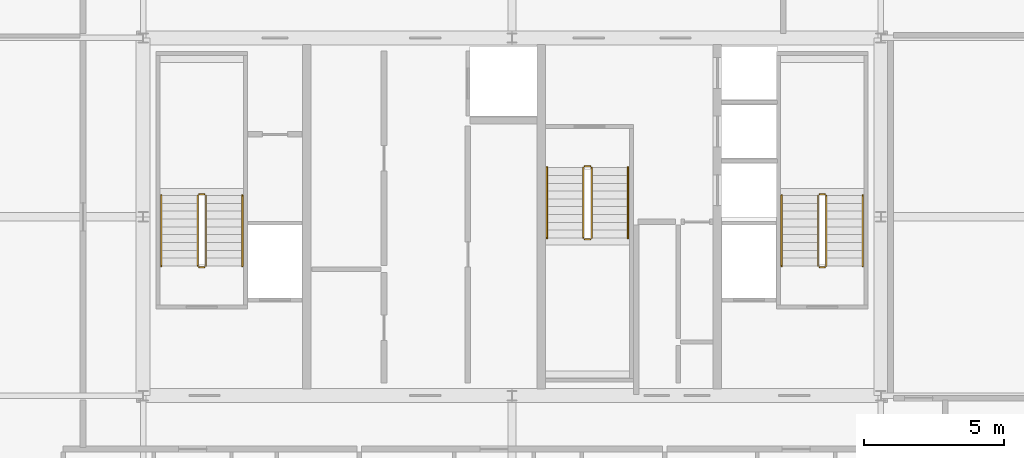
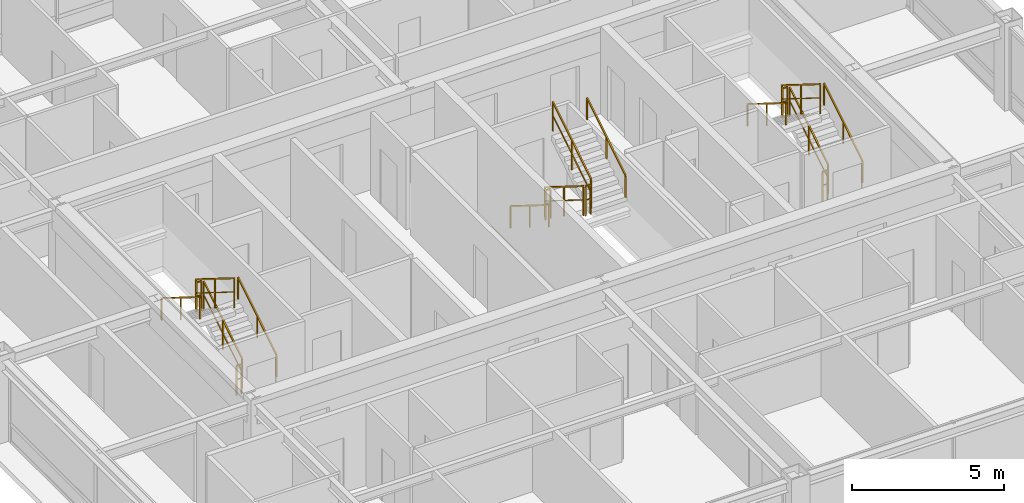
# One storey, part 35 of 35: 18 railings.
"""IFC4 building model written with IfcOpenShell, lengths in metres."""

from ifc_helpers import new_model, si_unit, direction, frame, origin, origin_2d, place, context, subcontext, project, spatial, rectangle, extrude, source, transform, mapped, material, layer, layer_set, type_object, element, save


model = new_model("IFC4")

# Units and contexts
model_context = context("Model", 3, precision=1e-05, world=origin(), true_north=direction((0.0, 1.0)))
body_context = subcontext(model_context, "Body", "Model", "MODEL_VIEW")
ifc_project = project(units=[si_unit("LENGTHUNIT", "METRE"), si_unit("AREAUNIT", "SQUARE_METRE"), si_unit("VOLUMEUNIT", "CUBIC_METRE"), si_unit("PLANEANGLEUNIT", "RADIAN"), si_unit("MASSUNIT", "GRAM", prefix="KILO"), si_unit("THERMODYNAMICTEMPERATUREUNIT", "KELVIN"), si_unit("POWERUNIT", "WATT")], contexts=[model_context])

# Site, building, storey
site_placement = place(None, origin())
site = spatial("IfcSite", under=ifc_project, at=site_placement, CompositionType="ELEMENT")
building_placement = place(site_placement, origin())
building = spatial("IfcBuilding", under=site, at=building_placement, Name="Yuzanri Waterfront Tower", CompositionType="ELEMENT")
storey_placement = place(building_placement, frame((0.0, 0.0, 289.10009765625)))
storey = spatial("IfcBuildingStorey", under=building, at=storey_placement, Name="L77", CompositionType="ELEMENT", Elevation=289.10009765625)

# Railings
ifc_material_1 = material(Name="Painted Galvanized Fire Steel", Category="steel")
ifc_layer_1 = layer(ifc_material_1, 0.06005859375)
ifc_layer_set_1 = layer_set([ifc_layer_1], Name="Painted Galvanized Fire Steel")
railing_type_1 = type_object("IfcRailingType", Name="Painted Steel Stairwell Guardrail 1120", PredefinedType="GUARDRAIL", material=ifc_layer_set_1)
shared_shape_1 = source(origin(), body_context, "Body", "SweptSolid", [
    extrude(rectangle(XDim=0.050048828125, YDim=0.050048828125, at=origin_2d()), frame((0.0, 0.0, 1.1748046875), z_axis=(-1.0, 0.0, 0.0), x_axis=(0.0, -1.0, 0.0)), (0.0, 0.0, 1.0), 0.199951171875),
    extrude(rectangle(XDim=0.035888671875, YDim=0.030029296875, at=origin_2d()), frame((0.0, 0.0, 0.6240234375), z_axis=(-1.0, 0.0, 0.0), x_axis=(0.0, -1.0, 0.0)), (0.0, 0.0, 1.0), 0.199951171875),
    extrude(rectangle(XDim=0.0458984375, YDim=0.0458984375, at=origin_2d()), origin(), (0.0, 0.0, 1.0), 1.14990234375),
    extrude(rectangle(XDim=0.0458984375, YDim=0.0458984375, at=origin_2d()), frame((-0.199951171875, 0.0, 0.0)), (0.0, 0.0, 1.0), 1.14990234375),
])
for number, where, name in (
    (1, (26.0, 26.610107421875, 1.75), "L77 ST-01 stair guard 2"),
    (2, (26.0, 23.989990234375, 0.0), "L77 ST-01 stair guard 4"),
    (3, (48.199951171875, 26.610107421875, 1.75), "L77 ST-02 stair guard 2"),
    (4, (48.199951171875, 23.989990234375, 0.0), "L77 ST-02 stair guard 4"),
):
    element("IfcRailing", number, at=place(storey_placement, frame(where)), inside=storey, type_object=railing_type_1, Name=name, PredefinedType="GUARDRAIL", context=body_context, shape_type="MappedRepresentation", body=[
        mapped(shared_shape_1, transform((0.0, 0.0, 0.0), scale=1.0)),
    ])
shared_shape_2 = source(origin(), body_context, "Body", "SweptSolid", [
    extrude(rectangle(XDim=0.050048828125, YDim=0.050048828125, at=origin_2d()), frame((0.0, 0.0, 1.1748046875), z_axis=(0.0, 0.847970611238, 0.530043245855), x_axis=(-1.0, 0.0, 0.0)), (0.0, 0.0, 1.0), 2.971923828125),
    extrude(rectangle(XDim=0.035888671875, YDim=0.030029296875, at=origin_2d()), frame((0.0, 0.0, 0.6240234375), z_axis=(0.0, 0.847970611238, 0.530043245855), x_axis=(-1.0, 0.0, 0.0)), (0.0, 0.0, 1.0), 2.971923828125),
    extrude(rectangle(XDim=0.0458984375, YDim=0.0458984375, at=origin_2d()), origin(), (0.0, 0.0, 1.0), 1.14990234375),
    extrude(rectangle(XDim=0.0458984375, YDim=0.0458984375, at=origin_2d()), frame((0.0, 1.260009765625, 0.78759765625)), (0.0, 0.0, 1.0), 1.14990234375),
    extrude(rectangle(XDim=0.0458984375, YDim=0.0458984375, at=origin_2d()), frame((0.0, 2.52001953125, 1.5751953125)), (0.0, 0.0, 1.0), 1.14990234375),
])
for number, where, name in (
    (5, (26.050048828125, 24.0400390625, 0.1748046875), "L77 ST-01 stair guard 1"),
    (6, (48.25, 24.0400390625, 0.1748046875), "L77 ST-02 stair guard 1"),
    (7, (39.85009765625, 25.0400390625, 1.9248046875), "L77 ST-03 stair guard 3"),
):
    element("IfcRailing", number, at=place(storey_placement, frame(where)), inside=storey, type_object=railing_type_1, Name=name, PredefinedType="GUARDRAIL", context=body_context, shape_type="MappedRepresentation", body=[
        mapped(shared_shape_2, transform((0.0, 0.0, 0.0), scale=1.0)),
    ])
shared_shape_3 = source(origin(), body_context, "Body", "SweptSolid", [
    extrude(rectangle(XDim=0.050048828125, YDim=0.050048828125, at=origin_2d()), frame((0.0, 0.0, 1.1748046875), z_axis=(0.0, -0.847970611238, 0.530043245855), x_axis=(1.0, 0.0, 0.0)), (0.0, 0.0, 1.0), 2.971923828125),
    extrude(rectangle(XDim=0.035888671875, YDim=0.030029296875, at=origin_2d()), frame((0.0, 0.0, 0.6240234375), z_axis=(0.0, -0.847970611238, 0.530043245855), x_axis=(1.0, 0.0, 0.0)), (0.0, 0.0, 1.0), 2.971923828125),
    extrude(rectangle(XDim=0.0458984375, YDim=0.0458984375, at=origin_2d()), origin(), (0.0, 0.0, 1.0), 1.14990234375),
    extrude(rectangle(XDim=0.0458984375, YDim=0.0458984375, at=origin_2d()), frame((0.0, -1.260009765625, 0.78759765625)), (0.0, 0.0, 1.0), 1.14990234375),
    extrude(rectangle(XDim=0.0458984375, YDim=0.0458984375, at=origin_2d()), frame((0.0, -2.52001953125, 1.5751953125)), (0.0, 0.0, 1.0), 1.14990234375),
])
for number, where, name in (
    (8, (25.75, 26.56005859375, 1.9248046875), "L77 ST-01 stair guard 3"),
    (9, (47.949951171875, 26.56005859375, 1.9248046875), "L77 ST-02 stair guard 3"),
    (10, (39.550048828125, 27.56005859375, 0.1748046875), "L77 ST-03 stair guard 1"),
):
    element("IfcRailing", number, at=place(storey_placement, frame(where)), inside=storey, type_object=railing_type_1, Name=name, PredefinedType="GUARDRAIL", context=body_context, shape_type="MappedRepresentation", body=[
        mapped(shared_shape_3, transform((0.0, 0.0, 0.0), scale=1.0)),
    ])
ifc_material_2 = material(Name="Anodized Architectural Bronze", Category="metal")
ifc_layer_2 = layer(ifc_material_2, 0.050048828125)
ifc_layer_set_2 = layer_set([ifc_layer_2], Name="Anodized Architectural Bronze")
railing_type_2 = type_object("IfcRailingType", Name="Brushed Bronze Stair Pitch Handrail 920", PredefinedType="HANDRAIL", material=ifc_layer_set_2)
shared_shape_4 = source(origin(), body_context, "Body", "SweptSolid", [
    extrude(rectangle(XDim=0.050048828125, YDim=0.050048828125, at=origin_2d()), frame((0.0, 0.0, 0.875), z_axis=(0.0, 0.847970611238, 0.530043245855), x_axis=(-1.0, 0.0, 0.0)), (0.0, 0.0, 1.0), 2.971923828125),
    extrude(rectangle(XDim=0.0458984375, YDim=0.0458984375, at=origin_2d()), origin(), (0.0, 0.0, 1.0), 0.849853515625),
    extrude(rectangle(XDim=0.0458984375, YDim=0.0458984375, at=origin_2d()), frame((0.0, 1.260009765625, 0.78759765625)), (0.0, 0.0, 1.0), 0.849853515625),
    extrude(rectangle(XDim=0.0458984375, YDim=0.0458984375, at=origin_2d()), frame((0.0, 2.52001953125, 1.5751953125)), (0.0, 0.0, 1.0), 0.849853515625),
])
for number, where, name in (
    (11, (27.35009765625, 24.0400390625, 0.1748046875), "L77 ST-01 stair handrail 1"),
    (12, (49.550048828125, 24.0400390625, 0.1748046875), "L77 ST-02 stair handrail 1"),
    (13, (41.14990234375, 25.0400390625, 1.9248046875), "L77 ST-03 stair handrail 2"),
):
    element("IfcRailing", number, at=place(storey_placement, frame(where)), inside=storey, type_object=railing_type_2, Name=name, PredefinedType="HANDRAIL", context=body_context, shape_type="MappedRepresentation", body=[
        mapped(shared_shape_4, transform((0.0, 0.0, 0.0), scale=1.0)),
    ])
shared_shape_5 = source(origin(), body_context, "Body", "SweptSolid", [
    extrude(rectangle(XDim=0.050048828125, YDim=0.050048828125, at=origin_2d()), frame((0.0, 0.0, 0.875), z_axis=(0.0, -0.847970611238, 0.530043245855), x_axis=(1.0, 0.0, 0.0)), (0.0, 0.0, 1.0), 2.971923828125),
    extrude(rectangle(XDim=0.0458984375, YDim=0.0458984375, at=origin_2d()), origin(), (0.0, 0.0, 1.0), 0.849853515625),
    extrude(rectangle(XDim=0.0458984375, YDim=0.0458984375, at=origin_2d()), frame((0.0, -1.260009765625, 0.78759765625)), (0.0, 0.0, 1.0), 0.849853515625),
    extrude(rectangle(XDim=0.0458984375, YDim=0.0458984375, at=origin_2d()), frame((0.0, -2.52001953125, 1.5751953125)), (0.0, 0.0, 1.0), 0.849853515625),
])
for number, where, name in (
    (14, (24.449951171875, 26.56005859375, 1.9248046875), "L77 ST-01 stair handrail 2"),
    (15, (46.64990234375, 26.56005859375, 1.9248046875), "L77 ST-02 stair handrail 2"),
    (16, (38.25, 27.56005859375, 0.1748046875), "L77 ST-03 stair handrail 1"),
):
    element("IfcRailing", number, at=place(storey_placement, frame(where)), inside=storey, type_object=railing_type_2, Name=name, PredefinedType="HANDRAIL", context=body_context, shape_type="MappedRepresentation", body=[
        mapped(shared_shape_5, transform((0.0, 0.0, 0.0), scale=1.0)),
    ])
shared_shape_6 = source(origin(), body_context, "Body", "SweptSolid", [
    extrude(rectangle(XDim=0.050048828125, YDim=0.050048828125, at=origin_2d()), frame((0.0, 0.0, 1.1748046875), z_axis=(1.0, 0.0, 0.0), x_axis=(0.0, 1.0, 0.0)), (0.0, 0.0, 1.0), 0.199951171875),
    extrude(rectangle(XDim=0.035888671875, YDim=0.030029296875, at=origin_2d()), frame((0.0, 0.0, 0.6240234375), z_axis=(1.0, 0.0, 0.0), x_axis=(0.0, 1.0, 0.0)), (0.0, 0.0, 1.0), 0.199951171875),
    extrude(rectangle(XDim=0.0458984375, YDim=0.0458984375, at=origin_2d()), origin(), (0.0, 0.0, 1.0), 1.14990234375),
    extrude(rectangle(XDim=0.0458984375, YDim=0.0458984375, at=origin_2d()), frame((0.199951171875, 0.0, 0.0)), (0.0, 0.0, 1.0), 1.14990234375),
])
for number, where, name in (
    (17, (39.60009765625, 24.989990234375, 1.75), "L77 ST-03 stair guard 2"),
    (18, (39.60009765625, 27.610107421875, 0.0), "L77 ST-03 stair guard 4"),
):
    element("IfcRailing", number, at=place(storey_placement, frame(where)), inside=storey, type_object=railing_type_1, Name=name, PredefinedType="GUARDRAIL", context=body_context, shape_type="MappedRepresentation", body=[
        mapped(shared_shape_6, transform((0.0, 0.0, 0.0), scale=1.0)),
    ])

save(model, "model.ifc")
